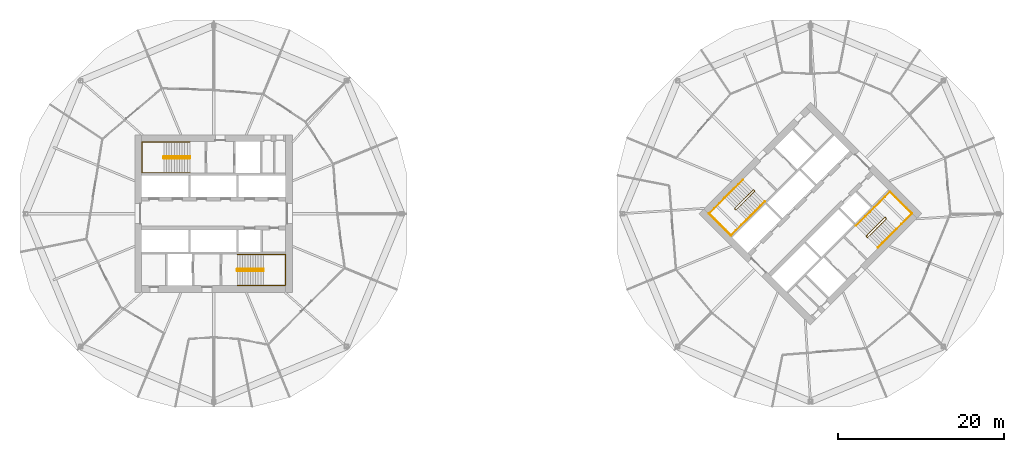
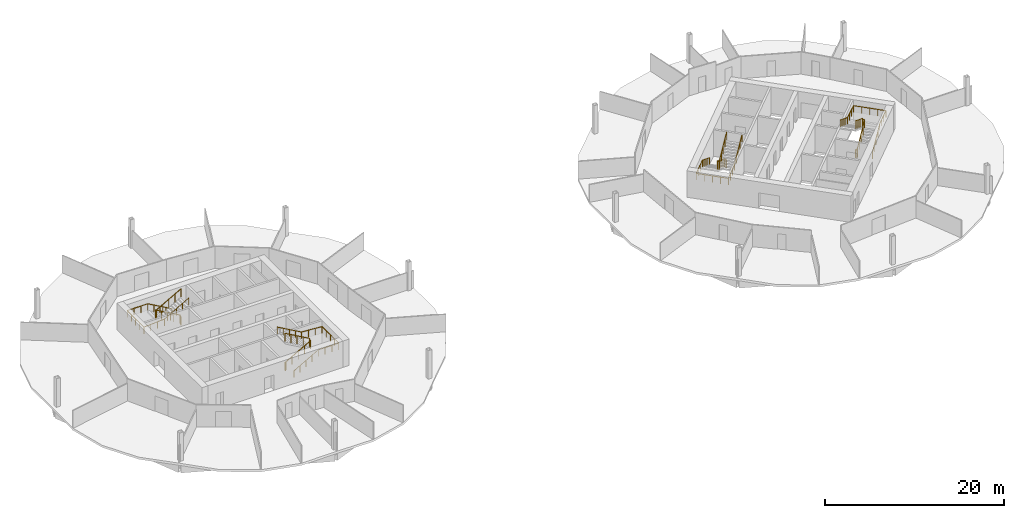
# One storey, part 9 of 9: 8 railings.
"""IFC4 building model written with IfcOpenShell, lengths in metres."""

from ifc_helpers import new_model, si_unit, direction, frame, origin, origin_2d, place, context, subcontext, project, spatial, circle, extrude, material, type_object, element, save


model = new_model("IFC4")

# Units and contexts
model_context = context("Model", 3, precision=1e-05, world=origin(), true_north=direction((0.0, 1.0)))
body_context = subcontext(model_context, "Body", "Model", "MODEL_VIEW")
ifc_project = project(units=[si_unit("LENGTHUNIT", "METRE"), si_unit("AREAUNIT", "SQUARE_METRE"), si_unit("VOLUMEUNIT", "CUBIC_METRE"), si_unit("PLANEANGLEUNIT", "RADIAN"), si_unit("MASSUNIT", "GRAM", prefix="KILO")], contexts=[model_context])

# Site, building, storey
site_placement = place(None, origin())
site = spatial("IfcSite", under=ifc_project, at=site_placement, CompositionType="ELEMENT")
building_placement = place(site_placement, origin())
building = spatial("IfcBuilding", under=site, at=building_placement, Name="Ogive Gate Towers", CompositionType="ELEMENT")
storey_placement = place(building_placement, frame((0.0, 0.0, 84.0)))
storey = spatial("IfcBuildingStorey", under=building, at=storey_placement, Name="L19", CompositionType="ELEMENT", Elevation=84.0)

# Railings
ifc_material = material(Name="Stainless steel", Category="steel")
railing_type_1 = type_object("IfcRailingType", Name="Stair guard 1100", PredefinedType="GUARDRAIL", material=ifc_material)
railing_1_placement = place(storey_placement, frame((-38.81494140625, 6.860107421875, 0.0)))
element("IfcRailing", 1, at=railing_1_placement, inside=storey, type_object=railing_type_1, Name="L19 ST1 stair guard 1", PredefinedType="GUARDRAIL", context=body_context, shape_type="SweptSolid", body=[
    extrude(circle(Radius=0.02392578125, at=origin_2d()), frame((0.0, 0.0, 1.076171875), z_axis=(0.0, -1.0, 0.0), x_axis=(1.0, 0.0, 0.0)), (0.0, 0.0, 1.0), 0.14501953125),
    extrude(circle(Radius=0.02392578125, at=origin_2d()), frame((0.0, -0.14501953125, 1.076171875), z_axis=(-0.186679794065, 0.726685247142, 0.661119660934), x_axis=(-0.968551454522, -0.24881334358, 0.0)), (0.0, 0.0, 1.0), 0.26806640625),
    extrude(circle(Radius=0.02392578125, at=origin_2d()), frame((-0.050048828125, 0.0498046875, 1.25341796875), z_axis=(-0.870572935281, 0.0, 0.492039393094), x_axis=(0.0, -1.0, 0.0)), (0.0, 0.0, 1.0), 3.602783203125),
    extrude(circle(Radius=0.02392578125, at=origin_2d()), frame((-3.1865234375, 0.0498046875, 3.02587890625), z_axis=(-0.707106781187, -0.707106781187, 0.0), x_axis=(0.707106781187, -0.707106781187, 0.0)), (0.0, 0.0, 1.0), 0.0703125),
    extrude(circle(Radius=0.02392578125, at=origin_2d()), frame((-3.236328125, 0.0, 3.02587890625), z_axis=(0.0, -1.0, 0.0), x_axis=(1.0, 0.0, 0.0)), (0.0, 0.0, 1.0), 0.14501953125),
    extrude(circle(Radius=0.02392578125, at=origin_2d()), frame((-3.236328125, -0.14501953125, 3.02587890625), z_axis=(0.261041864531, -0.262321481514, 0.929001929653), x_axis=(0.708833529934, 0.705375805398, 0.0)), (0.0, 0.0, 1.0), 0.190673828125),
    extrude(circle(Radius=0.02392578125, at=origin_2d()), frame((-3.1865234375, -0.195068359375, 3.203125), z_axis=(0.870572935281, 0.0, 0.492039393094), x_axis=(0.0, 1.0, 0.0)), (0.0, 0.0, 1.0), 3.602783203125),
    extrude(circle(Radius=0.02099609375, at=origin_2d()), origin(), (0.0, 0.0, 1.0), 1.052001953125),
    extrude(circle(Radius=0.02099609375, at=origin_2d()), frame((0.0, -0.14501953125, 0.0)), (0.0, 0.0, 1.0), 1.052001953125),
    extrude(circle(Radius=0.02099609375, at=origin_2d()), frame((-0.050048828125, 0.0498046875, 0.17724609375)), (0.0, 0.0, 1.0), 1.052001953125),
    extrude(circle(Radius=0.02099609375, at=origin_2d()), frame((-0.834228515625, 0.0498046875, 0.620361328125)), (0.0, 0.0, 1.0), 1.052001953125),
    extrude(circle(Radius=0.02099609375, at=origin_2d()), frame((-1.6181640625, 0.0498046875, 1.0634765625)), (0.0, 0.0, 1.0), 1.052001953125),
    extrude(circle(Radius=0.02099609375, at=origin_2d()), frame((-2.40234375, 0.0498046875, 1.5068359375)), (0.0, 0.0, 1.0), 1.052001953125),
    extrude(circle(Radius=0.02099609375, at=origin_2d()), frame((-3.1865234375, 0.0498046875, 1.949951171875)), (0.0, 0.0, 1.0), 1.052001953125),
    extrude(circle(Radius=0.02099609375, at=origin_2d()), frame((-3.236328125, 0.0, 1.949951171875)), (0.0, 0.0, 1.0), 1.052001953125),
    extrude(circle(Radius=0.02099609375, at=origin_2d()), frame((-3.236328125, -0.14501953125, 1.949951171875)), (0.0, 0.0, 1.0), 1.052001953125),
    extrude(circle(Radius=0.02099609375, at=origin_2d()), frame((-3.1865234375, -0.195068359375, 2.127197265625)), (0.0, 0.0, 1.0), 1.052001953125),
    extrude(circle(Radius=0.02099609375, at=origin_2d()), frame((-2.40234375, -0.195068359375, 2.5703125)), (0.0, 0.0, 1.0), 1.052001953125),
    extrude(circle(Radius=0.02099609375, at=origin_2d()), frame((-1.6181640625, -0.195068359375, 3.013671875)), (0.0, 0.0, 1.0), 1.052001953125),
    extrude(circle(Radius=0.02099609375, at=origin_2d()), frame((-0.834228515625, -0.195068359375, 3.456787109375)), (0.0, 0.0, 1.0), 1.052001953125),
    extrude(circle(Radius=0.02099609375, at=origin_2d()), frame((-0.050048828125, -0.195068359375, 3.89990234375)), (0.0, 0.0, 1.0), 1.052001953125),
])
railing_2_placement = place(storey_placement, frame((-33.18505859375, -6.860107421875, 0.0)))
element("IfcRailing", 2, at=railing_2_placement, inside=storey, type_object=railing_type_1, Name="L19 ST2 stair guard 1", PredefinedType="GUARDRAIL", context=body_context, shape_type="SweptSolid", body=[
    extrude(circle(Radius=0.02392578125, at=origin_2d()), frame((0.0, 0.0, 1.076171875), z_axis=(0.0, 1.0, 0.0), x_axis=(-1.0, 0.0, 0.0)), (0.0, 0.0, 1.0), 0.14501953125),
    extrude(circle(Radius=0.02392578125, at=origin_2d()), frame((0.0, 0.14501953125, 1.076171875), z_axis=(0.186679794065, -0.726685247142, 0.661119660934), x_axis=(0.968551454522, 0.24881334358, 0.0)), (0.0, 0.0, 1.0), 0.26806640625),
    extrude(circle(Radius=0.02392578125, at=origin_2d()), frame((0.050048828125, -0.0498046875, 1.25341796875), z_axis=(0.870572935281, 0.0, 0.492039393094), x_axis=(0.0, 1.0, 0.0)), (0.0, 0.0, 1.0), 3.602783203125),
    extrude(circle(Radius=0.02392578125, at=origin_2d()), frame((3.1865234375, -0.0498046875, 3.02587890625), z_axis=(0.707106781187, 0.707106781187, 0.0), x_axis=(-0.707106781187, 0.707106781187, 0.0)), (0.0, 0.0, 1.0), 0.0703125),
    extrude(circle(Radius=0.02392578125, at=origin_2d()), frame((3.236328125, 0.0, 3.02587890625), z_axis=(0.0, 1.0, 0.0), x_axis=(-1.0, 0.0, 0.0)), (0.0, 0.0, 1.0), 0.14501953125),
    extrude(circle(Radius=0.02392578125, at=origin_2d()), frame((3.236328125, 0.14501953125, 3.02587890625), z_axis=(-0.261041864531, 0.262321481514, 0.929001929653), x_axis=(-0.708833529934, -0.705375805398, 0.0)), (0.0, 0.0, 1.0), 0.190673828125),
    extrude(circle(Radius=0.02392578125, at=origin_2d()), frame((3.1865234375, 0.195068359375, 3.203125), z_axis=(-0.870572935281, 0.0, 0.492039393094), x_axis=(0.0, -1.0, 0.0)), (0.0, 0.0, 1.0), 3.602783203125),
    extrude(circle(Radius=0.02099609375, at=origin_2d()), origin(), (0.0, 0.0, 1.0), 1.052001953125),
    extrude(circle(Radius=0.02099609375, at=origin_2d()), frame((0.0, 0.14501953125, 0.0)), (0.0, 0.0, 1.0), 1.052001953125),
    extrude(circle(Radius=0.02099609375, at=origin_2d()), frame((0.050048828125, -0.0498046875, 0.17724609375)), (0.0, 0.0, 1.0), 1.052001953125),
    extrude(circle(Radius=0.02099609375, at=origin_2d()), frame((0.834228515625, -0.0498046875, 0.620361328125)), (0.0, 0.0, 1.0), 1.052001953125),
    extrude(circle(Radius=0.02099609375, at=origin_2d()), frame((1.6181640625, -0.0498046875, 1.0634765625)), (0.0, 0.0, 1.0), 1.052001953125),
    extrude(circle(Radius=0.02099609375, at=origin_2d()), frame((2.40234375, -0.0498046875, 1.5068359375)), (0.0, 0.0, 1.0), 1.052001953125),
    extrude(circle(Radius=0.02099609375, at=origin_2d()), frame((3.1865234375, -0.0498046875, 1.949951171875)), (0.0, 0.0, 1.0), 1.052001953125),
    extrude(circle(Radius=0.02099609375, at=origin_2d()), frame((3.236328125, 0.0, 1.949951171875)), (0.0, 0.0, 1.0), 1.052001953125),
    extrude(circle(Radius=0.02099609375, at=origin_2d()), frame((3.236328125, 0.14501953125, 1.949951171875)), (0.0, 0.0, 1.0), 1.052001953125),
    extrude(circle(Radius=0.02099609375, at=origin_2d()), frame((3.1865234375, 0.195068359375, 2.127197265625)), (0.0, 0.0, 1.0), 1.052001953125),
    extrude(circle(Radius=0.02099609375, at=origin_2d()), frame((2.40234375, 0.195068359375, 2.5703125)), (0.0, 0.0, 1.0), 1.052001953125),
    extrude(circle(Radius=0.02099609375, at=origin_2d()), frame((1.6181640625, 0.195068359375, 3.013671875)), (0.0, 0.0, 1.0), 1.052001953125),
    extrude(circle(Radius=0.02099609375, at=origin_2d()), frame((0.834228515625, 0.195068359375, 3.456787109375)), (0.0, 0.0, 1.0), 1.052001953125),
    extrude(circle(Radius=0.02099609375, at=origin_2d()), frame((0.050048828125, 0.195068359375, 3.89990234375)), (0.0, 0.0, 1.0), 1.052001953125),
])
railing_3_placement = place(storey_placement, frame((29.15869140625, 2.8603515625, 0.0)))
element("IfcRailing", 3, at=railing_3_placement, inside=storey, type_object=railing_type_1, Name="L19 ST1 stair guard 1", PredefinedType="GUARDRAIL", context=body_context, shape_type="SweptSolid", body=[
    extrude(circle(Radius=0.02392578125, at=origin_2d()), frame((0.0, 0.0, 1.076171875), z_axis=(0.707106781187, -0.707106781187, 0.0), x_axis=(0.707106781187, 0.707106781187, 0.0)), (0.0, 0.0, 1.0), 0.14501953125),
    extrude(circle(Radius=0.02392578125, at=origin_2d()), frame((0.1025390625, -0.1025390625, 1.076171875), z_axis=(-0.645571447971, 0.382425963537, 0.661050594114), x_axis=(-0.509669330572, -0.860370369942, 0.0)), (0.0, 0.0, 1.0), 0.26806640625),
    extrude(circle(Radius=0.02392578125, at=origin_2d()), frame((-0.070556640625, 0.0, 1.25341796875), z_axis=(-0.61558473135, -0.61558473135, 0.49204763698), x_axis=(0.707106781187, -0.707106781187, 0.0)), (0.0, 0.0, 1.0), 3.602783203125),
    extrude(circle(Radius=0.02392578125, at=origin_2d()), frame((-2.288330078125, -2.2177734375, 3.02587890625), z_axis=(0.0, -1.0, 0.0), x_axis=(1.0, 0.0, 0.0)), (0.0, 0.0, 1.0), 0.07080078125),
    extrude(circle(Radius=0.02392578125, at=origin_2d()), frame((-2.288330078125, -2.28857421875, 3.02587890625), z_axis=(0.707106781187, -0.707106781187, 0.0), x_axis=(0.707106781187, 0.707106781187, 0.0)), (0.0, 0.0, 1.0), 0.14501953125),
    extrude(circle(Radius=0.02392578125, at=origin_2d()), frame((-2.185791015625, -2.39111328125, 3.02587890625), z_axis=(0.369845645421, 0.0, 0.929093213065), x_axis=(0.0, 1.0, 0.0)), (0.0, 0.0, 1.0), 0.190673828125),
    extrude(circle(Radius=0.02392578125, at=origin_2d()), frame((-2.115234375, -2.39111328125, 3.203125), z_axis=(0.61558473135, 0.61558473135, 0.49204763698), x_axis=(-0.707106781187, 0.707106781187, 0.0)), (0.0, 0.0, 1.0), 3.602783203125),
    extrude(circle(Radius=0.02099609375, at=origin_2d()), origin(), (0.0, 0.0, 1.0), 1.052001953125),
    extrude(circle(Radius=0.02099609375, at=origin_2d()), frame((0.1025390625, -0.1025390625, 0.0)), (0.0, 0.0, 1.0), 1.052001953125),
    extrude(circle(Radius=0.02099609375, at=origin_2d()), frame((-0.070556640625, 0.0, 0.17724609375)), (0.0, 0.0, 1.0), 1.052001953125),
    extrude(circle(Radius=0.02099609375, at=origin_2d()), frame((-0.625, -0.554443359375, 0.620361328125)), (0.0, 0.0, 1.0), 1.052001953125),
    extrude(circle(Radius=0.02099609375, at=origin_2d()), frame((-1.179443359375, -1.10888671875, 1.0634765625)), (0.0, 0.0, 1.0), 1.052001953125),
    extrude(circle(Radius=0.02099609375, at=origin_2d()), frame((-1.73388671875, -1.663330078125, 1.5068359375)), (0.0, 0.0, 1.0), 1.052001953125),
    extrude(circle(Radius=0.02099609375, at=origin_2d()), frame((-2.288330078125, -2.2177734375, 1.949951171875)), (0.0, 0.0, 1.0), 1.052001953125),
    extrude(circle(Radius=0.02099609375, at=origin_2d()), frame((-2.288330078125, -2.28857421875, 1.949951171875)), (0.0, 0.0, 1.0), 1.052001953125),
    extrude(circle(Radius=0.02099609375, at=origin_2d()), frame((-2.185791015625, -2.39111328125, 1.949951171875)), (0.0, 0.0, 1.0), 1.052001953125),
    extrude(circle(Radius=0.02099609375, at=origin_2d()), frame((-2.115234375, -2.39111328125, 2.127197265625)), (0.0, 0.0, 1.0), 1.052001953125),
    extrude(circle(Radius=0.02099609375, at=origin_2d()), frame((-1.560791015625, -1.836669921875, 2.5703125)), (0.0, 0.0, 1.0), 1.052001953125),
    extrude(circle(Radius=0.02099609375, at=origin_2d()), frame((-1.00634765625, -1.2822265625, 3.013671875)), (0.0, 0.0, 1.0), 1.052001953125),
    extrude(circle(Radius=0.02099609375, at=origin_2d()), frame((-0.451904296875, -0.727783203125, 3.456787109375)), (0.0, 0.0, 1.0), 1.052001953125),
    extrude(circle(Radius=0.02099609375, at=origin_2d()), frame((0.1025390625, -0.17333984375, 3.89990234375)), (0.0, 0.0, 1.0), 1.052001953125),
])
railing_4_placement = place(storey_placement, frame((42.84130859375, -2.8603515625, 0.0)))
element("IfcRailing", 4, at=railing_4_placement, inside=storey, type_object=railing_type_1, Name="L19 ST2 stair guard 1", PredefinedType="GUARDRAIL", context=body_context, shape_type="SweptSolid", body=[
    extrude(circle(Radius=0.02392578125, at=origin_2d()), frame((0.0, 0.0, 1.076171875), z_axis=(-0.707106781187, 0.707106781187, 0.0), x_axis=(-0.707106781187, -0.707106781187, 0.0)), (0.0, 0.0, 1.0), 0.14501953125),
    extrude(circle(Radius=0.02392578125, at=origin_2d()), frame((-0.1025390625, 0.1025390625, 1.076171875), z_axis=(0.645571447971, -0.382425963537, 0.661050594114), x_axis=(0.509669330572, 0.860370369942, 0.0)), (0.0, 0.0, 1.0), 0.26806640625),
    extrude(circle(Radius=0.02392578125, at=origin_2d()), frame((0.070556640625, 0.0, 1.25341796875), z_axis=(0.61558473135, 0.61558473135, 0.49204763698), x_axis=(-0.707106781187, 0.707106781187, 0.0)), (0.0, 0.0, 1.0), 3.602783203125),
    extrude(circle(Radius=0.02392578125, at=origin_2d()), frame((2.288330078125, 2.2177734375, 3.02587890625), z_axis=(0.0, 1.0, 0.0), x_axis=(-1.0, 0.0, 0.0)), (0.0, 0.0, 1.0), 0.07080078125),
    extrude(circle(Radius=0.02392578125, at=origin_2d()), frame((2.288330078125, 2.28857421875, 3.02587890625), z_axis=(-0.707106781187, 0.707106781187, 0.0), x_axis=(-0.707106781187, -0.707106781187, 0.0)), (0.0, 0.0, 1.0), 0.14501953125),
    extrude(circle(Radius=0.02392578125, at=origin_2d()), frame((2.185791015625, 2.39111328125, 3.02587890625), z_axis=(-0.369845645421, 0.0, 0.929093213065), x_axis=(0.0, -1.0, 0.0)), (0.0, 0.0, 1.0), 0.190673828125),
    extrude(circle(Radius=0.02392578125, at=origin_2d()), frame((2.115234375, 2.39111328125, 3.203125), z_axis=(-0.61558473135, -0.61558473135, 0.49204763698), x_axis=(0.707106781187, -0.707106781187, 0.0)), (0.0, 0.0, 1.0), 3.602783203125),
    extrude(circle(Radius=0.02099609375, at=origin_2d()), origin(), (0.0, 0.0, 1.0), 1.052001953125),
    extrude(circle(Radius=0.02099609375, at=origin_2d()), frame((-0.1025390625, 0.1025390625, 0.0)), (0.0, 0.0, 1.0), 1.052001953125),
    extrude(circle(Radius=0.02099609375, at=origin_2d()), frame((0.070556640625, 0.0, 0.17724609375)), (0.0, 0.0, 1.0), 1.052001953125),
    extrude(circle(Radius=0.02099609375, at=origin_2d()), frame((0.625, 0.554443359375, 0.620361328125)), (0.0, 0.0, 1.0), 1.052001953125),
    extrude(circle(Radius=0.02099609375, at=origin_2d()), frame((1.179443359375, 1.10888671875, 1.0634765625)), (0.0, 0.0, 1.0), 1.052001953125),
    extrude(circle(Radius=0.02099609375, at=origin_2d()), frame((1.73388671875, 1.663330078125, 1.5068359375)), (0.0, 0.0, 1.0), 1.052001953125),
    extrude(circle(Radius=0.02099609375, at=origin_2d()), frame((2.288330078125, 2.2177734375, 1.949951171875)), (0.0, 0.0, 1.0), 1.052001953125),
    extrude(circle(Radius=0.02099609375, at=origin_2d()), frame((2.288330078125, 2.28857421875, 1.949951171875)), (0.0, 0.0, 1.0), 1.052001953125),
    extrude(circle(Radius=0.02099609375, at=origin_2d()), frame((2.185791015625, 2.39111328125, 1.949951171875)), (0.0, 0.0, 1.0), 1.052001953125),
    extrude(circle(Radius=0.02099609375, at=origin_2d()), frame((2.115234375, 2.39111328125, 2.127197265625)), (0.0, 0.0, 1.0), 1.052001953125),
    extrude(circle(Radius=0.02099609375, at=origin_2d()), frame((1.560791015625, 1.836669921875, 2.5703125)), (0.0, 0.0, 1.0), 1.052001953125),
    extrude(circle(Radius=0.02099609375, at=origin_2d()), frame((1.00634765625, 1.2822265625, 3.013671875)), (0.0, 0.0, 1.0), 1.052001953125),
    extrude(circle(Radius=0.02099609375, at=origin_2d()), frame((0.451904296875, 0.727783203125, 3.456787109375)), (0.0, 0.0, 1.0), 1.052001953125),
    extrude(circle(Radius=0.02099609375, at=origin_2d()), frame((-0.1025390625, 0.17333984375, 3.89990234375)), (0.0, 0.0, 1.0), 1.052001953125),
])
railing_type_2 = type_object("IfcRailingType", Name="Stair handrail 900", PredefinedType="HANDRAIL", material=ifc_material)
railing_5_placement = place(storey_placement, frame((-38.864990234375, 8.64990234375, 0.17724609375)))
element("IfcRailing", 5, at=railing_5_placement, inside=storey, type_object=railing_type_2, Name="L19 ST1 stair handrail 1", PredefinedType="HANDRAIL", context=body_context, shape_type="SweptSolid", body=[
    extrude(circle(Radius=0.02392578125, at=origin_2d()), frame((0.0, 0.0, 0.8759765625), z_axis=(-0.870572935281, 0.0, 0.492039393094), x_axis=(0.0, -1.0, 0.0)), (0.0, 0.0, 1.0), 3.602783203125),
    extrude(circle(Radius=0.02392578125, at=origin_2d()), frame((-3.136474609375, 0.0, 2.6484375), z_axis=(-1.0, 0.0, 0.0), x_axis=(0.0, -1.0, 0.0)), (0.0, 0.0, 1.0), 2.6484375),
    extrude(circle(Radius=0.02392578125, at=origin_2d()), frame((-5.784912109375, 0.0, 2.6484375), z_axis=(0.0, -1.0, 0.0), x_axis=(1.0, 0.0, 0.0)), (0.0, 0.0, 1.0), 3.724853515625),
    extrude(circle(Radius=0.02392578125, at=origin_2d()), frame((-5.784912109375, -3.724853515625, 2.6484375), z_axis=(0.997768031817, 0.0, 0.066775404784), x_axis=(0.0, 1.0, 0.0)), (0.0, 0.0, 1.0), 2.654296875),
    extrude(circle(Radius=0.02392578125, at=origin_2d()), frame((-3.136474609375, -3.724853515625, 2.82568359375), z_axis=(0.870572935281, 0.0, 0.492039393094), x_axis=(0.0, 1.0, 0.0)), (0.0, 0.0, 1.0), 3.602783203125),
    extrude(circle(Radius=0.02099609375, at=origin_2d()), origin(), (0.0, 0.0, 1.0), 0.851806640625),
    extrude(circle(Radius=0.02099609375, at=origin_2d()), frame((-0.7841796875, 0.0, 0.443115234375)), (0.0, 0.0, 1.0), 0.851806640625),
    extrude(circle(Radius=0.02099609375, at=origin_2d()), frame((-1.568359375, 0.0, 0.88623046875)), (0.0, 0.0, 1.0), 0.851806640625),
    extrude(circle(Radius=0.02099609375, at=origin_2d()), frame((-2.352294921875, 0.0, 1.32958984375)), (0.0, 0.0, 1.0), 0.851806640625),
    extrude(circle(Radius=0.02099609375, at=origin_2d()), frame((-3.136474609375, 0.0, 1.772705078125)), (0.0, 0.0, 1.0), 0.851806640625),
    extrude(circle(Radius=0.02099609375, at=origin_2d()), frame((-4.019287109375, 0.0, 1.772705078125)), (0.0, 0.0, 1.0), 0.851806640625),
    extrude(circle(Radius=0.02099609375, at=origin_2d()), frame((-4.902099609375, 0.0, 1.772705078125)), (0.0, 0.0, 1.0), 0.851806640625),
    extrude(circle(Radius=0.02099609375, at=origin_2d()), frame((-5.784912109375, 0.0, 1.772705078125)), (0.0, 0.0, 1.0), 0.851806640625),
    extrude(circle(Radius=0.02099609375, at=origin_2d()), frame((-5.784912109375, -0.93115234375, 1.772705078125)), (0.0, 0.0, 1.0), 0.851806640625),
    extrude(circle(Radius=0.02099609375, at=origin_2d()), frame((-5.784912109375, -1.8623046875, 1.772705078125)), (0.0, 0.0, 1.0), 0.851806640625),
    extrude(circle(Radius=0.02099609375, at=origin_2d()), frame((-5.784912109375, -2.793701171875, 1.772705078125)), (0.0, 0.0, 1.0), 0.851806640625),
    extrude(circle(Radius=0.02099609375, at=origin_2d()), frame((-5.784912109375, -3.724853515625, 1.772705078125)), (0.0, 0.0, 1.0), 0.851806640625),
    extrude(circle(Radius=0.02099609375, at=origin_2d()), frame((-4.902099609375, -3.724853515625, 1.831787109375)), (0.0, 0.0, 1.0), 0.851806640625),
    extrude(circle(Radius=0.02099609375, at=origin_2d()), frame((-4.019287109375, -3.724853515625, 1.890869140625)), (0.0, 0.0, 1.0), 0.851806640625),
    extrude(circle(Radius=0.02099609375, at=origin_2d()), frame((-3.136474609375, -3.724853515625, 1.949951171875)), (0.0, 0.0, 1.0), 0.851806640625),
    extrude(circle(Radius=0.02099609375, at=origin_2d()), frame((-2.352294921875, -3.724853515625, 2.39306640625)), (0.0, 0.0, 1.0), 0.851806640625),
    extrude(circle(Radius=0.02099609375, at=origin_2d()), frame((-1.568359375, -3.724853515625, 2.83642578125)), (0.0, 0.0, 1.0), 0.851806640625),
    extrude(circle(Radius=0.02099609375, at=origin_2d()), frame((-0.7841796875, -3.724853515625, 3.279541015625)), (0.0, 0.0, 1.0), 0.851806640625),
    extrude(circle(Radius=0.02099609375, at=origin_2d()), frame((0.0, -3.724853515625, 3.72265625)), (0.0, 0.0, 1.0), 0.851806640625),
])
railing_6_placement = place(storey_placement, frame((-33.135009765625, -8.64990234375, 0.17724609375)))
element("IfcRailing", 6, at=railing_6_placement, inside=storey, type_object=railing_type_2, Name="L19 ST2 stair handrail 1", PredefinedType="HANDRAIL", context=body_context, shape_type="SweptSolid", body=[
    extrude(circle(Radius=0.02392578125, at=origin_2d()), frame((0.0, 0.0, 0.8759765625), z_axis=(0.870572935281, 0.0, 0.492039393094), x_axis=(0.0, 1.0, 0.0)), (0.0, 0.0, 1.0), 3.602783203125),
    extrude(circle(Radius=0.02392578125, at=origin_2d()), frame((3.136474609375, 0.0, 2.6484375), z_axis=(1.0, 0.0, 0.0), x_axis=(0.0, 1.0, 0.0)), (0.0, 0.0, 1.0), 2.6484375),
    extrude(circle(Radius=0.02392578125, at=origin_2d()), frame((5.784912109375, 0.0, 2.6484375), z_axis=(0.0, 1.0, 0.0), x_axis=(-1.0, 0.0, 0.0)), (0.0, 0.0, 1.0), 3.724853515625),
    extrude(circle(Radius=0.02392578125, at=origin_2d()), frame((5.784912109375, 3.724853515625, 2.6484375), z_axis=(-0.997768031817, 0.0, 0.066775404784), x_axis=(0.0, -1.0, 0.0)), (0.0, 0.0, 1.0), 2.654296875),
    extrude(circle(Radius=0.02392578125, at=origin_2d()), frame((3.136474609375, 3.724853515625, 2.82568359375), z_axis=(-0.870572935281, 0.0, 0.492039393094), x_axis=(0.0, -1.0, 0.0)), (0.0, 0.0, 1.0), 3.602783203125),
    extrude(circle(Radius=0.02099609375, at=origin_2d()), origin(), (0.0, 0.0, 1.0), 0.851806640625),
    extrude(circle(Radius=0.02099609375, at=origin_2d()), frame((0.7841796875, 0.0, 0.443115234375)), (0.0, 0.0, 1.0), 0.851806640625),
    extrude(circle(Radius=0.02099609375, at=origin_2d()), frame((1.568359375, 0.0, 0.88623046875)), (0.0, 0.0, 1.0), 0.851806640625),
    extrude(circle(Radius=0.02099609375, at=origin_2d()), frame((2.352294921875, 0.0, 1.32958984375)), (0.0, 0.0, 1.0), 0.851806640625),
    extrude(circle(Radius=0.02099609375, at=origin_2d()), frame((3.136474609375, 0.0, 1.772705078125)), (0.0, 0.0, 1.0), 0.851806640625),
    extrude(circle(Radius=0.02099609375, at=origin_2d()), frame((4.019287109375, 0.0, 1.772705078125)), (0.0, 0.0, 1.0), 0.851806640625),
    extrude(circle(Radius=0.02099609375, at=origin_2d()), frame((4.902099609375, 0.0, 1.772705078125)), (0.0, 0.0, 1.0), 0.851806640625),
    extrude(circle(Radius=0.02099609375, at=origin_2d()), frame((5.784912109375, 0.0, 1.772705078125)), (0.0, 0.0, 1.0), 0.851806640625),
    extrude(circle(Radius=0.02099609375, at=origin_2d()), frame((5.784912109375, 0.93115234375, 1.772705078125)), (0.0, 0.0, 1.0), 0.851806640625),
    extrude(circle(Radius=0.02099609375, at=origin_2d()), frame((5.784912109375, 1.8623046875, 1.772705078125)), (0.0, 0.0, 1.0), 0.851806640625),
    extrude(circle(Radius=0.02099609375, at=origin_2d()), frame((5.784912109375, 2.793701171875, 1.772705078125)), (0.0, 0.0, 1.0), 0.851806640625),
    extrude(circle(Radius=0.02099609375, at=origin_2d()), frame((5.784912109375, 3.724853515625, 1.772705078125)), (0.0, 0.0, 1.0), 0.851806640625),
    extrude(circle(Radius=0.02099609375, at=origin_2d()), frame((4.902099609375, 3.724853515625, 1.831787109375)), (0.0, 0.0, 1.0), 0.851806640625),
    extrude(circle(Radius=0.02099609375, at=origin_2d()), frame((4.019287109375, 3.724853515625, 1.890869140625)), (0.0, 0.0, 1.0), 0.851806640625),
    extrude(circle(Radius=0.02099609375, at=origin_2d()), frame((3.136474609375, 3.724853515625, 1.949951171875)), (0.0, 0.0, 1.0), 0.851806640625),
    extrude(circle(Radius=0.02099609375, at=origin_2d()), frame((2.352294921875, 3.724853515625, 2.39306640625)), (0.0, 0.0, 1.0), 0.851806640625),
    extrude(circle(Radius=0.02099609375, at=origin_2d()), frame((1.568359375, 3.724853515625, 2.83642578125)), (0.0, 0.0, 1.0), 0.851806640625),
    extrude(circle(Radius=0.02099609375, at=origin_2d()), frame((0.7841796875, 3.724853515625, 3.279541015625)), (0.0, 0.0, 1.0), 0.851806640625),
    extrude(circle(Radius=0.02099609375, at=origin_2d()), frame((0.0, 3.724853515625, 3.72265625)), (0.0, 0.0, 1.0), 0.851806640625),
])
railing_7_placement = place(storey_placement, frame((27.857666015625, 4.090576171875, 0.17724609375)))
element("IfcRailing", 7, at=railing_7_placement, inside=storey, type_object=railing_type_2, Name="L19 ST1 stair handrail 1", PredefinedType="HANDRAIL", context=body_context, shape_type="SweptSolid", body=[
    extrude(circle(Radius=0.02392578125, at=origin_2d()), frame((0.0, 0.0, 0.8759765625), z_axis=(-0.61558473135, -0.61558473135, 0.49204763698), x_axis=(0.707106781187, -0.707106781187, 0.0)), (0.0, 0.0, 1.0), 3.602783203125),
    extrude(circle(Radius=0.02392578125, at=origin_2d()), frame((-2.2177734375, -2.2177734375, 2.6484375), z_axis=(-0.707106781187, -0.707106781187, 0.0), x_axis=(0.707106781187, -0.707106781187, 0.0)), (0.0, 0.0, 1.0), 2.6484375),
    extrude(circle(Radius=0.02392578125, at=origin_2d()), frame((-4.090576171875, -4.090576171875, 2.6484375), z_axis=(0.707106781187, -0.707106781187, 0.0), x_axis=(0.707106781187, 0.707106781187, 0.0)), (0.0, 0.0, 1.0), 3.72509765625),
    extrude(circle(Radius=0.02392578125, at=origin_2d()), frame((-1.45654296875, -6.724609375, 2.6484375), z_axis=(0.705482886452, 0.705574853978, 0.066768423356), x_axis=(-0.70715286629, 0.70706069308, 0.0)), (0.0, 0.0, 1.0), 2.654541015625),
    extrude(circle(Radius=0.02392578125, at=origin_2d()), frame((0.416259765625, -4.8515625, 2.82568359375), z_axis=(0.615610411033, 0.615542642384, 0.4920681632), x_axis=(-0.70706785752, 0.70714570271, 0.0)), (0.0, 0.0, 1.0), 3.6025390625),
    extrude(circle(Radius=0.02099609375, at=origin_2d()), origin(), (0.0, 0.0, 1.0), 0.851806640625),
    extrude(circle(Radius=0.02099609375, at=origin_2d()), frame((-0.554443359375, -0.554443359375, 0.443115234375)), (0.0, 0.0, 1.0), 0.851806640625),
    extrude(circle(Radius=0.02099609375, at=origin_2d()), frame((-1.10888671875, -1.10888671875, 0.88623046875)), (0.0, 0.0, 1.0), 0.851806640625),
    extrude(circle(Radius=0.02099609375, at=origin_2d()), frame((-1.663330078125, -1.663330078125, 1.32958984375)), (0.0, 0.0, 1.0), 0.851806640625),
    extrude(circle(Radius=0.02099609375, at=origin_2d()), frame((-2.2177734375, -2.2177734375, 1.772705078125)), (0.0, 0.0, 1.0), 0.851806640625),
    extrude(circle(Radius=0.02099609375, at=origin_2d()), frame((-2.842041015625, -2.842041015625, 1.772705078125)), (0.0, 0.0, 1.0), 0.851806640625),
    extrude(circle(Radius=0.02099609375, at=origin_2d()), frame((-3.46630859375, -3.46630859375, 1.772705078125)), (0.0, 0.0, 1.0), 0.851806640625),
    extrude(circle(Radius=0.02099609375, at=origin_2d()), frame((-4.090576171875, -4.090576171875, 1.772705078125)), (0.0, 0.0, 1.0), 0.851806640625),
    extrude(circle(Radius=0.02099609375, at=origin_2d()), frame((-3.43212890625, -4.7490234375, 1.772705078125)), (0.0, 0.0, 1.0), 0.851806640625),
    extrude(circle(Radius=0.02099609375, at=origin_2d()), frame((-2.7734375, -5.40771484375, 1.772705078125)), (0.0, 0.0, 1.0), 0.851806640625),
    extrude(circle(Radius=0.02099609375, at=origin_2d()), frame((-2.114990234375, -6.066162109375, 1.772705078125)), (0.0, 0.0, 1.0), 0.851806640625),
    extrude(circle(Radius=0.02099609375, at=origin_2d()), frame((-1.45654296875, -6.724609375, 1.772705078125)), (0.0, 0.0, 1.0), 0.851806640625),
    extrude(circle(Radius=0.02099609375, at=origin_2d()), frame((-0.832275390625, -6.100341796875, 1.831787109375)), (0.0, 0.0, 1.0), 0.851806640625),
    extrude(circle(Radius=0.02099609375, at=origin_2d()), frame((-0.2080078125, -5.475830078125, 1.890869140625)), (0.0, 0.0, 1.0), 0.851806640625),
    extrude(circle(Radius=0.02099609375, at=origin_2d()), frame((0.416259765625, -4.8515625, 1.949951171875)), (0.0, 0.0, 1.0), 0.851806640625),
    extrude(circle(Radius=0.02099609375, at=origin_2d()), frame((0.970703125, -4.297119140625, 2.39306640625)), (0.0, 0.0, 1.0), 0.851806640625),
    extrude(circle(Radius=0.02099609375, at=origin_2d()), frame((1.525146484375, -3.74267578125, 2.83642578125)), (0.0, 0.0, 1.0), 0.851806640625),
    extrude(circle(Radius=0.02099609375, at=origin_2d()), frame((2.07958984375, -3.1884765625, 3.279541015625)), (0.0, 0.0, 1.0), 0.851806640625),
    extrude(circle(Radius=0.02099609375, at=origin_2d()), frame((2.634033203125, -2.634033203125, 3.72265625)), (0.0, 0.0, 1.0), 0.851806640625),
])
railing_8_placement = place(storey_placement, frame((44.142333984375, -4.090576171875, 0.17724609375)))
element("IfcRailing", 8, at=railing_8_placement, inside=storey, type_object=railing_type_2, Name="L19 ST2 stair handrail 1", PredefinedType="HANDRAIL", context=body_context, shape_type="SweptSolid", body=[
    extrude(circle(Radius=0.02392578125, at=origin_2d()), frame((0.0, 0.0, 0.8759765625), z_axis=(0.61558473135, 0.61558473135, 0.49204763698), x_axis=(-0.707106781187, 0.707106781187, 0.0)), (0.0, 0.0, 1.0), 3.602783203125),
    extrude(circle(Radius=0.02392578125, at=origin_2d()), frame((2.2177734375, 2.2177734375, 2.6484375), z_axis=(0.707106781187, 0.707106781187, 0.0), x_axis=(-0.707106781187, 0.707106781187, 0.0)), (0.0, 0.0, 1.0), 2.6484375),
    extrude(circle(Radius=0.02392578125, at=origin_2d()), frame((4.090576171875, 4.090576171875, 2.6484375), z_axis=(-0.707106781187, 0.707106781187, 0.0), x_axis=(-0.707106781187, -0.707106781187, 0.0)), (0.0, 0.0, 1.0), 3.72509765625),
    extrude(circle(Radius=0.02392578125, at=origin_2d()), frame((1.45654296875, 6.724609375, 2.6484375), z_axis=(-0.705482886452, -0.705574853978, 0.066768423356), x_axis=(0.70715286629, -0.70706069308, 0.0)), (0.0, 0.0, 1.0), 2.654541015625),
    extrude(circle(Radius=0.02392578125, at=origin_2d()), frame((-0.416259765625, 4.8515625, 2.82568359375), z_axis=(-0.615610411033, -0.615542642384, 0.4920681632), x_axis=(0.70706785752, -0.70714570271, 0.0)), (0.0, 0.0, 1.0), 3.6025390625),
    extrude(circle(Radius=0.02099609375, at=origin_2d()), origin(), (0.0, 0.0, 1.0), 0.851806640625),
    extrude(circle(Radius=0.02099609375, at=origin_2d()), frame((0.554443359375, 0.554443359375, 0.443115234375)), (0.0, 0.0, 1.0), 0.851806640625),
    extrude(circle(Radius=0.02099609375, at=origin_2d()), frame((1.10888671875, 1.10888671875, 0.88623046875)), (0.0, 0.0, 1.0), 0.851806640625),
    extrude(circle(Radius=0.02099609375, at=origin_2d()), frame((1.663330078125, 1.663330078125, 1.32958984375)), (0.0, 0.0, 1.0), 0.851806640625),
    extrude(circle(Radius=0.02099609375, at=origin_2d()), frame((2.2177734375, 2.2177734375, 1.772705078125)), (0.0, 0.0, 1.0), 0.851806640625),
    extrude(circle(Radius=0.02099609375, at=origin_2d()), frame((2.842041015625, 2.842041015625, 1.772705078125)), (0.0, 0.0, 1.0), 0.851806640625),
    extrude(circle(Radius=0.02099609375, at=origin_2d()), frame((3.46630859375, 3.46630859375, 1.772705078125)), (0.0, 0.0, 1.0), 0.851806640625),
    extrude(circle(Radius=0.02099609375, at=origin_2d()), frame((4.090576171875, 4.090576171875, 1.772705078125)), (0.0, 0.0, 1.0), 0.851806640625),
    extrude(circle(Radius=0.02099609375, at=origin_2d()), frame((3.43212890625, 4.7490234375, 1.772705078125)), (0.0, 0.0, 1.0), 0.851806640625),
    extrude(circle(Radius=0.02099609375, at=origin_2d()), frame((2.7734375, 5.40771484375, 1.772705078125)), (0.0, 0.0, 1.0), 0.851806640625),
    extrude(circle(Radius=0.02099609375, at=origin_2d()), frame((2.114990234375, 6.066162109375, 1.772705078125)), (0.0, 0.0, 1.0), 0.851806640625),
    extrude(circle(Radius=0.02099609375, at=origin_2d()), frame((1.45654296875, 6.724609375, 1.772705078125)), (0.0, 0.0, 1.0), 0.851806640625),
    extrude(circle(Radius=0.02099609375, at=origin_2d()), frame((0.832275390625, 6.100341796875, 1.831787109375)), (0.0, 0.0, 1.0), 0.851806640625),
    extrude(circle(Radius=0.02099609375, at=origin_2d()), frame((0.2080078125, 5.475830078125, 1.890869140625)), (0.0, 0.0, 1.0), 0.851806640625),
    extrude(circle(Radius=0.02099609375, at=origin_2d()), frame((-0.416259765625, 4.8515625, 1.949951171875)), (0.0, 0.0, 1.0), 0.851806640625),
    extrude(circle(Radius=0.02099609375, at=origin_2d()), frame((-0.970703125, 4.297119140625, 2.39306640625)), (0.0, 0.0, 1.0), 0.851806640625),
    extrude(circle(Radius=0.02099609375, at=origin_2d()), frame((-1.525146484375, 3.74267578125, 2.83642578125)), (0.0, 0.0, 1.0), 0.851806640625),
    extrude(circle(Radius=0.02099609375, at=origin_2d()), frame((-2.07958984375, 3.1884765625, 3.279541015625)), (0.0, 0.0, 1.0), 0.851806640625),
    extrude(circle(Radius=0.02099609375, at=origin_2d()), frame((-2.634033203125, 2.634033203125, 3.72265625)), (0.0, 0.0, 1.0), 0.851806640625),
])

save(model, "model.ifc")
